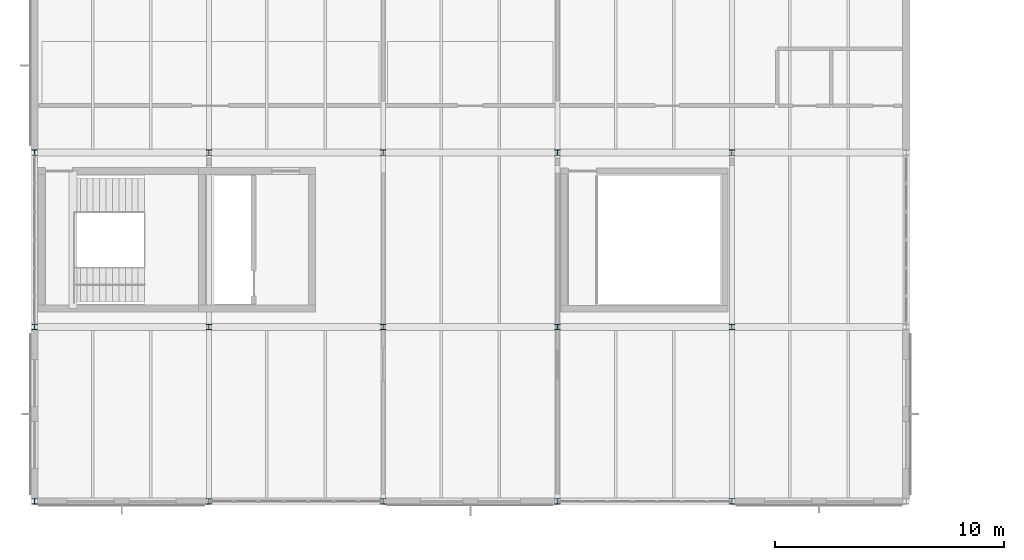
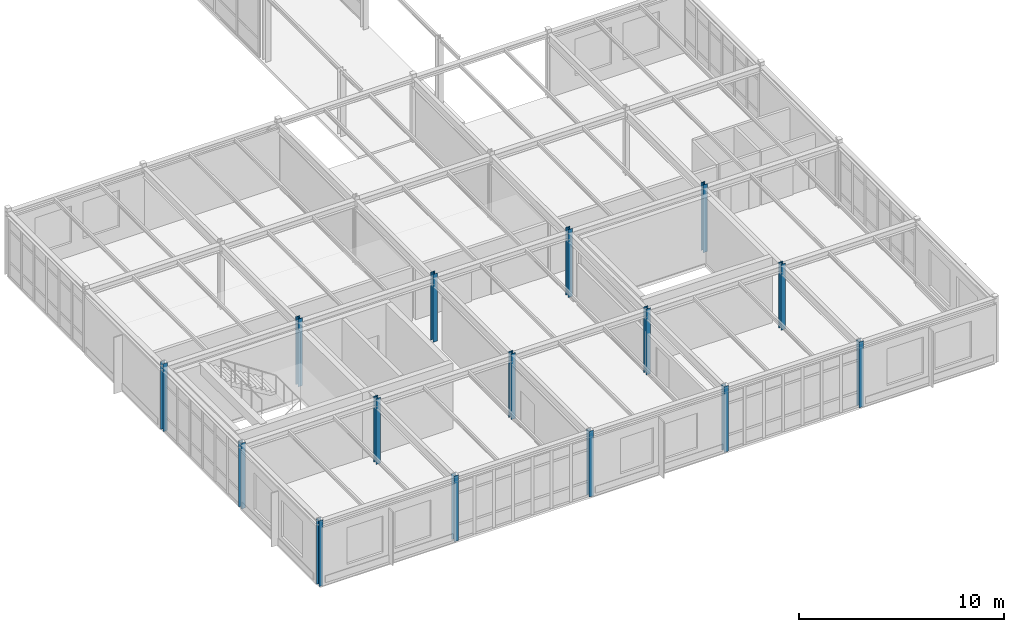
# One storey, part 1 of 189: 15 columns.
"""IFC4 building model written with IfcOpenShell, lengths in metres."""

from ifc_helpers import new_model, si_unit, direction, frame, origin, origin_2d, place, context, subcontext, project, spatial, i_section, extrude, material, material_profile, profile_set, type_object, element, save


model = new_model("IFC4")

# Units and contexts
model_context = context("Model", 3, precision=1e-05, world=origin(), true_north=direction((0.0, 1.0)))
body_context = subcontext(model_context, "Body", "Model", "MODEL_VIEW")
ifc_project = project(units=[si_unit("LENGTHUNIT", "METRE"), si_unit("AREAUNIT", "SQUARE_METRE"), si_unit("VOLUMEUNIT", "CUBIC_METRE"), si_unit("PLANEANGLEUNIT", "RADIAN"), si_unit("MASSUNIT", "GRAM", prefix="KILO")], contexts=[model_context])

# Site, building, storey
site_placement = place(None, origin())
site = spatial("IfcSite", under=ifc_project, at=site_placement, CompositionType="ELEMENT")
building_placement = place(site_placement, origin())
building = spatial("IfcBuilding", under=site, at=building_placement, Name="Montecoro Central Library", CompositionType="ELEMENT")
storey_placement = place(building_placement, frame((0.0, 0.0, 9.179931640625)))
storey = spatial("IfcBuildingStorey", under=building, at=storey_placement, Name="L02", CompositionType="ELEMENT", Elevation=9.179931640625)

# Columns
ifc_material = material(Name="Steel S355", Category="steel")
ifc_material_profile = material_profile(ifc_material, i_section(OverallWidth=0.239990234375, OverallDepth=0.239990234375, WebThickness=0.010009765625, FlangeThickness=0.01708984375, at=origin_2d()), Name="HEB 240")
ifc_profile_set = profile_set([ifc_material_profile], Name="Steel S355")
column_type = type_object("IfcColumnType", Name="COL-HEB240", PredefinedType="COLUMN", material=ifc_profile_set)
for number, where, z_axis, x_axis, name in (
    (1, (5.0, 5.0, 0.0), (0.0, 0.0, 1.0), (1.0, 0.0, 0.0), "V3-L02-COL-1-A"),
    (2, (5.0, 12.60009765625, 0.0), (0.0, 0.0, 1.0), (1.0, 0.0, 0.0), "V3-L02-COL-1-B"),
):
    element("IfcColumn", number, at=place(storey_placement, frame(where, z_axis=z_axis, x_axis=x_axis)), inside=storey, type_object=column_type, Name=name, PredefinedType="COLUMN", context=body_context, shape_type="SweptSolid", body=[
        extrude(i_section(OverallWidth=0.239990234375, OverallDepth=0.239990234375, WebThickness=0.010009765625, FlangeThickness=0.01708984375, at=origin_2d()), origin(), (0.0, 0.0, 1.0), 3.9150390625),
    ])
column_1_placement = place(storey_placement, frame((5.0, 20.199951171875, 0.0), z_axis=(0.0, 0.0, 1.0), x_axis=(1.0, 0.0, 0.0)))
element("IfcColumn", 3, at=column_1_placement, inside=storey, type_object=column_type, Name="V3-L02-COL-1-C", PredefinedType="COLUMN", context=body_context, shape_type="SweptSolid", body=[
    extrude(i_section(OverallWidth=0.239990234375, OverallDepth=0.239990234375, WebThickness=0.010009765625, FlangeThickness=0.01708984375, at=origin_2d()), origin(), (0.0, 0.0, 1.0), 4.0400390625),
])
for number, where, z_axis, x_axis, name in (
    (4, (12.60009765625, 5.0, 0.0), (0.0, 0.0, 1.0), (1.0, 0.0, 0.0), "V3-L02-COL-2-A"),
    (5, (12.60009765625, 12.60009765625, 0.0), (0.0, 0.0, 1.0), (1.0, 0.0, 0.0), "V3-L02-COL-2-B"),
):
    element("IfcColumn", number, at=place(storey_placement, frame(where, z_axis=z_axis, x_axis=x_axis)), inside=storey, type_object=column_type, Name=name, PredefinedType="COLUMN", context=body_context, shape_type="SweptSolid", body=[
        extrude(i_section(OverallWidth=0.239990234375, OverallDepth=0.239990234375, WebThickness=0.010009765625, FlangeThickness=0.01708984375, at=origin_2d()), origin(), (0.0, 0.0, 1.0), 3.9150390625),
    ])
column_2_placement = place(storey_placement, frame((12.60009765625, 20.199951171875, 0.0), z_axis=(0.0, 0.0, 1.0), x_axis=(1.0, 0.0, 0.0)))
element("IfcColumn", 6, at=column_2_placement, inside=storey, type_object=column_type, Name="V3-L02-COL-2-C", PredefinedType="COLUMN", context=body_context, shape_type="SweptSolid", body=[
    extrude(i_section(OverallWidth=0.239990234375, OverallDepth=0.239990234375, WebThickness=0.010009765625, FlangeThickness=0.01708984375, at=origin_2d()), origin(), (0.0, 0.0, 1.0), 4.0400390625),
])
for number, where, z_axis, x_axis, name in (
    (7, (20.199951171875, 5.0, 0.0), (0.0, 0.0, 1.0), (1.0, 0.0, 0.0), "V3-L02-COL-3-A"),
    (8, (20.199951171875, 12.60009765625, 0.0), (0.0, 0.0, 1.0), (1.0, 0.0, 0.0), "V3-L02-COL-3-B"),
):
    element("IfcColumn", number, at=place(storey_placement, frame(where, z_axis=z_axis, x_axis=x_axis)), inside=storey, type_object=column_type, Name=name, PredefinedType="COLUMN", context=body_context, shape_type="SweptSolid", body=[
        extrude(i_section(OverallWidth=0.239990234375, OverallDepth=0.239990234375, WebThickness=0.010009765625, FlangeThickness=0.01708984375, at=origin_2d()), origin(), (0.0, 0.0, 1.0), 3.9150390625),
    ])
column_3_placement = place(storey_placement, frame((20.199951171875, 20.199951171875, 0.0), z_axis=(0.0, 0.0, 1.0), x_axis=(1.0, 0.0, 0.0)))
element("IfcColumn", 9, at=column_3_placement, inside=storey, type_object=column_type, Name="V3-L02-COL-3-C", PredefinedType="COLUMN", context=body_context, shape_type="SweptSolid", body=[
    extrude(i_section(OverallWidth=0.239990234375, OverallDepth=0.239990234375, WebThickness=0.010009765625, FlangeThickness=0.01708984375, at=origin_2d()), origin(), (0.0, 0.0, 1.0), 4.0400390625),
])
for number, where, z_axis, x_axis, name in (
    (10, (27.800048828125, 5.0, 0.0), (0.0, 0.0, 1.0), (1.0, 0.0, 0.0), "V3-L02-COL-4-A"),
    (11, (27.800048828125, 12.60009765625, 0.0), (0.0, 0.0, 1.0), (1.0, 0.0, 0.0), "V3-L02-COL-4-B"),
):
    element("IfcColumn", number, at=place(storey_placement, frame(where, z_axis=z_axis, x_axis=x_axis)), inside=storey, type_object=column_type, Name=name, PredefinedType="COLUMN", context=body_context, shape_type="SweptSolid", body=[
        extrude(i_section(OverallWidth=0.239990234375, OverallDepth=0.239990234375, WebThickness=0.010009765625, FlangeThickness=0.01708984375, at=origin_2d()), origin(), (0.0, 0.0, 1.0), 3.9150390625),
    ])
column_4_placement = place(storey_placement, frame((27.800048828125, 20.199951171875, 0.0), z_axis=(0.0, 0.0, 1.0), x_axis=(1.0, 0.0, 0.0)))
element("IfcColumn", 12, at=column_4_placement, inside=storey, type_object=column_type, Name="V3-L02-COL-4-C", PredefinedType="COLUMN", context=body_context, shape_type="SweptSolid", body=[
    extrude(i_section(OverallWidth=0.239990234375, OverallDepth=0.239990234375, WebThickness=0.010009765625, FlangeThickness=0.01708984375, at=origin_2d()), origin(), (0.0, 0.0, 1.0), 4.0400390625),
])
for number, where, z_axis, x_axis, name in (
    (13, (35.39990234375, 5.0, 0.0), (0.0, 0.0, 1.0), (1.0, 0.0, 0.0), "V3-L02-COL-5-A"),
    (14, (35.39990234375, 12.60009765625, 0.0), (0.0, 0.0, 1.0), (1.0, 0.0, 0.0), "V3-L02-COL-5-B"),
):
    element("IfcColumn", number, at=place(storey_placement, frame(where, z_axis=z_axis, x_axis=x_axis)), inside=storey, type_object=column_type, Name=name, PredefinedType="COLUMN", context=body_context, shape_type="SweptSolid", body=[
        extrude(i_section(OverallWidth=0.239990234375, OverallDepth=0.239990234375, WebThickness=0.010009765625, FlangeThickness=0.01708984375, at=origin_2d()), origin(), (0.0, 0.0, 1.0), 3.9150390625),
    ])
column_5_placement = place(storey_placement, frame((35.39990234375, 20.199951171875, 0.0), z_axis=(0.0, 0.0, 1.0), x_axis=(1.0, 0.0, 0.0)))
element("IfcColumn", 15, at=column_5_placement, inside=storey, type_object=column_type, Name="V3-L02-COL-5-C", PredefinedType="COLUMN", context=body_context, shape_type="SweptSolid", body=[
    extrude(i_section(OverallWidth=0.239990234375, OverallDepth=0.239990234375, WebThickness=0.010009765625, FlangeThickness=0.01708984375, at=origin_2d()), origin(), (0.0, 0.0, 1.0), 4.0400390625),
])

save(model, "model.ifc")
